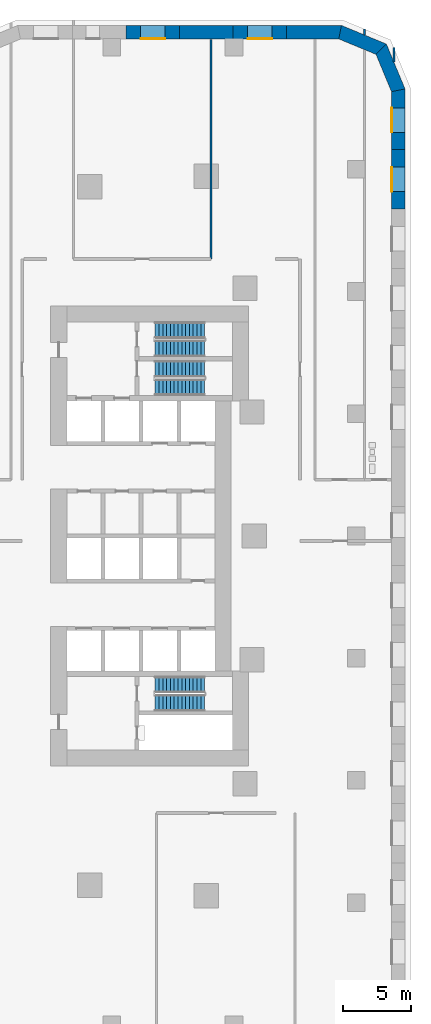
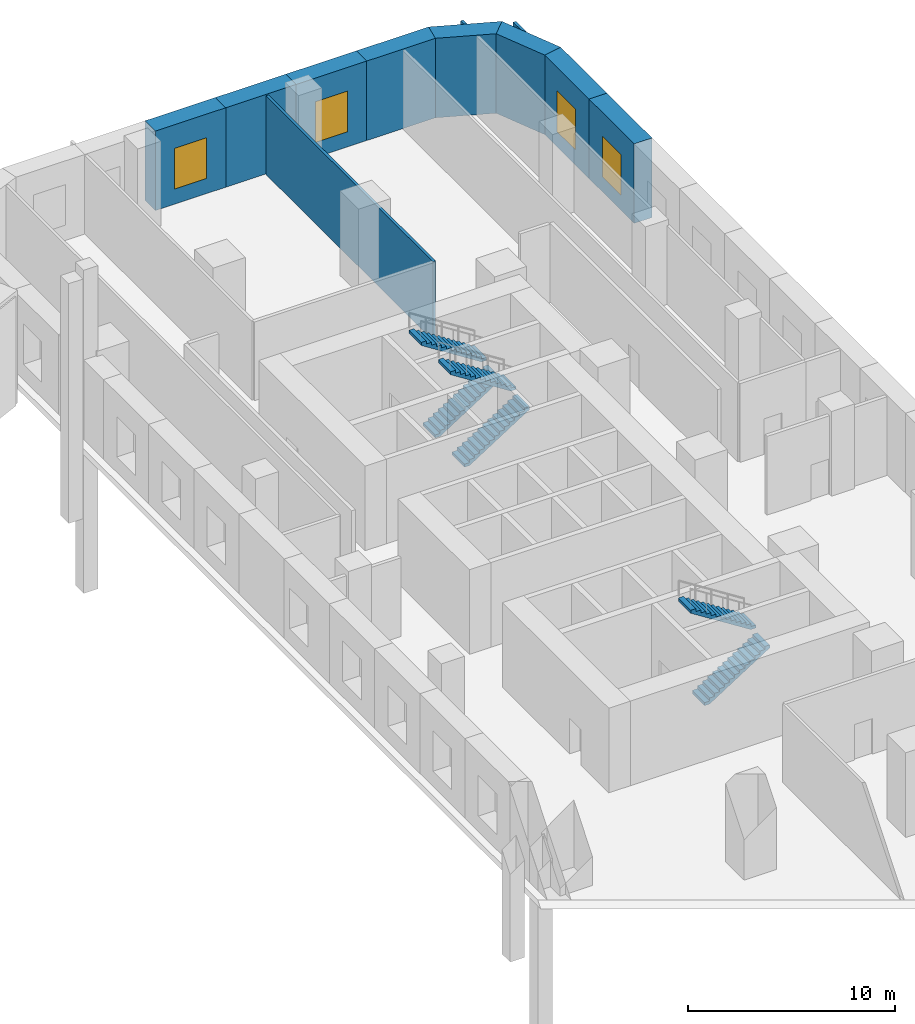
# One storey, part 6 of 11: 11 walls, 6 stair flights, 4 windows, 4 openings, 3 elements without a shape of their own.
"""IFC4 building model written with IfcOpenShell, lengths in metres."""

from ifc_helpers import new_model, si_unit, direction, frame, frame_2d, origin, place, context, subcontext, project, spatial, polyline, rectangle, outline, extrude, material, layer, layer_set, type_object, element, fill, aggregate, save


model = new_model("IFC4")

# Units and contexts
model_context = context("Model", 3, precision=1e-05, world=origin(), true_north=direction((0.0, 1.0)))
body_context = subcontext(model_context, "Body", "Model", "MODEL_VIEW")
ifc_project = project(units=[si_unit("LENGTHUNIT", "METRE"), si_unit("AREAUNIT", "SQUARE_METRE"), si_unit("VOLUMEUNIT", "CUBIC_METRE"), si_unit("PLANEANGLEUNIT", "RADIAN"), si_unit("MASSUNIT", "GRAM", prefix="KILO")], contexts=[model_context])

# Site, building, storey
site_placement = place(None, origin())
site = spatial("IfcSite", under=ifc_project, at=site_placement, CompositionType="ELEMENT")
building_placement = place(site_placement, origin())
building = spatial("IfcBuilding", under=site, at=building_placement, Name="Ostrand Prow Hotel Tower", CompositionType="ELEMENT")
storey_placement = place(building_placement, frame((0.0, 0.0, 19.0)))
storey = spatial("IfcBuildingStorey", under=building, at=storey_placement, Name="L03", CompositionType="ELEMENT", Elevation=19.0)

# Walls
ifc_material_1 = material(Name="Plasterboard partition")
ifc_layer_1 = layer(ifc_material_1, 0.14990234375)
ifc_layer_set_1 = layer_set([ifc_layer_1], Name="Plasterboard partition")
wall_type_1 = type_object("IfcWallType", Name="Partition 150 room partition", PredefinedType="PARTITIONING", material=ifc_layer_set_1)
wall_1_placement = place(storey_placement, frame((61.29736328125, 20.39990234375, 0.0), z_axis=(0.0, 0.0, 1.0), x_axis=(0.0, 1.0, 0.0)))
element("IfcWall", 1, at=wall_1_placement, inside=storey, type_object=wall_type_1, Name="ROOM PARTITION", PredefinedType="PARTITIONING", context=body_context, shape_type="SweptSolid", body=[
    extrude(rectangle(XDim=16.170166015625, YDim=0.14990234375, at=frame_2d((8.0849609375, 0.0))), origin(), (0.0, 0.0, 1.0), 4.64990234375),
])
wall_2_placement = place(storey_placement, frame((72.630615234375, 36.8916015625, 0.0), z_axis=(0.0, 0.0, 1.0), x_axis=(0.0, 1.0, 0.0)))
element("IfcWall", 2, at=wall_2_placement, inside=storey, type_object=wall_type_1, Name="ROOM PARTITION", PredefinedType="PARTITIONING", context=body_context, shape_type="SweptSolid", body=[
    extrude(rectangle(XDim=0.43310546875, YDim=0.14990234375, at=frame_2d((0.216552734375, 0.0))), origin(), (0.0, 0.0, 1.0), 4.64990234375),
])
wall_3_placement = place(storey_placement, frame((74.77490234375, 34.91259765625, 0.0), z_axis=(0.0, 0.0, 1.0), x_axis=(0.0, 1.0, 0.0)))
element("IfcWall", 3, at=wall_3_placement, inside=storey, type_object=wall_type_1, Name="ROOM PARTITION", PredefinedType="PARTITIONING", context=body_context, shape_type="SweptSolid", body=[
    extrude(rectangle(XDim=1.04541015625, YDim=0.14990234375, at=frame_2d((0.522705078125, 0.0))), origin(), (0.0, 0.0, 1.0), 4.64990234375),
])

# Wall, opening, window
ifc_material_2 = material(Name="Precast concrete C40/50", Category="concrete")
ifc_layer_2 = layer(ifc_material_2, 1.0)
ifc_layer_set_2 = layer_set([ifc_layer_2], Name="Precast concrete C40/50")
wall_type_2 = type_object("IfcWallType", Name="Portal pier wall 1000 mm", PredefinedType="NOTDEFINED", material=ifc_layer_set_2)
wall_4_placement = place(storey_placement, frame((75.10009765625, 24.068603515625, 0.0), z_axis=(0.0, 0.0, 1.0), x_axis=(0.0, 1.0, 0.0)))
wall_4 = element("IfcWall", 4, at=wall_4_placement, inside=storey, type_object=wall_type_2, Name="Portal pier wall L03-PP121", PredefinedType="NOTDEFINED", context=body_context, shape_type="SweptSolid", body=[
    extrude(outline(polyline([(0.0, -0.5), (4.376220703125, -0.5), (4.376220703125, 0.5), (0.0, 0.5), (0.0, -0.5)])), origin(), (0.0, 0.0, 1.0), 4.699951171875),
])
opening_1_placement = place(wall_4_placement, frame((1.2880859375, 0.0, 0.89990234375)))
opening_1 = element("IfcOpeningElement", 5, at=opening_1_placement, cuts=wall_4, Name="Opening WP2", PredefinedType="OPENING", context=body_context, shape_type="SweptSolid", body=[
    extrude(rectangle(XDim=1.800048828125, YDim=2.39990234375, at=frame_2d((0.89990234375, 1.199951171875))), frame((0.0, 0.510009765625, 0.0), z_axis=(0.0, -1.0, 0.0), x_axis=(1.0, 0.0, 0.0)), (0.0, 0.0, 1.0), 1.02001953125),
])
ifc_material_3 = material(Name="Insulated glass in bronze anodised frame", Category="glass")
window_type = type_object("IfcWindowType", Name="Portal window 1800x2400", PartitioningType="SINGLE_PANEL", PredefinedType="WINDOW", material=ifc_material_3)
window_1_placement = place(opening_1_placement, origin())
window_1 = element("IfcWindow", 6, at=window_1_placement, inside=storey, type_object=window_type, Name="Portal window L03-PP121", OverallHeight=2.39990234375, OverallWidth=1.800048828125, PartitioningType="SINGLE_PANEL", PredefinedType="WINDOW", context=body_context, shape_type="SweptSolid", body=[
    extrude(rectangle(XDim=1.800048828125, YDim=2.39990234375, at=frame_2d((0.89990234375, 1.199951171875))), frame((0.0, 0.5, 0.0), z_axis=(0.0, -1.0, 0.0), x_axis=(1.0, 0.0, 0.0)), (0.0, 0.0, 1.0), 0.06005859375),
])
fill(opening_1, window_1)

wall_5_placement = place(storey_placement, frame((75.10009765625, 28.44482421875, 0.0), z_axis=(0.0, 0.0, 1.0), x_axis=(0.0, 1.0, 0.0)))
wall_5 = element("IfcWall", 7, at=wall_5_placement, inside=storey, type_object=wall_type_2, Name="Portal pier wall L03-PP122", PredefinedType="NOTDEFINED", context=body_context, shape_type="SweptSolid", body=[
    extrude(outline(polyline([(0.0, -0.5), (4.475830078125, -0.5), (4.276611328125, 0.5), (0.0, 0.5), (0.0, -0.5)])), origin(), (0.0, 0.0, 1.0), 4.699951171875),
])
opening_2_placement = place(wall_5_placement, frame((1.2880859375, 0.0, 0.89990234375)))
opening_2 = element("IfcOpeningElement", 8, at=opening_2_placement, cuts=wall_5, Name="Opening WP2", PredefinedType="OPENING", context=body_context, shape_type="SweptSolid", body=[
    extrude(rectangle(XDim=1.800048828125, YDim=2.39990234375, at=frame_2d((0.89990234375, 1.199951171875))), frame((0.0, 0.510009765625, 0.0), z_axis=(0.0, -1.0, 0.0), x_axis=(1.0, 0.0, 0.0)), (0.0, 0.0, 1.0), 1.02001953125),
])
window_2_placement = place(opening_2_placement, origin())
window_2 = element("IfcWindow", 9, at=window_2_placement, inside=storey, type_object=window_type, Name="Portal window L03-PP122", OverallHeight=2.39990234375, OverallWidth=1.800048828125, PartitioningType="SINGLE_PANEL", PredefinedType="WINDOW", context=body_context, shape_type="SweptSolid", body=[
    extrude(rectangle(XDim=1.800048828125, YDim=2.39990234375, at=frame_2d((0.89990234375, 1.199951171875))), frame((0.0, 0.5, 0.0), z_axis=(0.0, -1.0, 0.0), x_axis=(1.0, 0.0, 0.0)), (0.0, 0.0, 1.0), 0.06005859375),
])
fill(opening_2, window_2)

# Walls
wall_6_placement = place(storey_placement, frame((75.10009765625, 32.821044921875, 0.0), z_axis=(0.0, 0.0, 1.0), x_axis=(-0.382724875529, 0.923862365102, 0.0)))
element("IfcWall", 10, at=wall_6_placement, inside=storey, type_object=wall_type_2, Name="Portal pier wall L03-PP123", PredefinedType="NOTDEFINED", context=body_context, shape_type="SweptSolid", body=[
    extrude(outline(polyline([(-0.099609375, -0.5), (3.48193359375, -0.5), (3.06787109375, 0.5), (0.099609375, 0.5), (-0.099609375, -0.5)])), origin(), (0.0, 0.0, 1.0), 4.699951171875),
])
wall_7_placement = place(storey_placement, frame((73.8466796875, 35.8466796875, 0.0), z_axis=(0.0, 0.0, 1.0), x_axis=(-0.923862365102, 0.382724875529, 0.0)))
element("IfcWall", 11, at=wall_7_placement, inside=storey, type_object=wall_type_2, Name="Portal pier wall L03-PP124", PredefinedType="NOTDEFINED", context=body_context, shape_type="SweptSolid", body=[
    extrude(outline(polyline([(-0.20703125, -0.5), (3.37451171875, -0.5), (3.17529296875, 0.5), (0.20703125, 0.5), (-0.20703125, -0.5)])), origin(), (0.0, 0.0, 1.0), 4.699951171875),
])
wall_8_placement = place(storey_placement, frame((70.821044921875, 37.10009765625, 0.0), z_axis=(0.0, 0.0, 1.0), x_axis=(-1.0, 0.0, 0.0)))
element("IfcWall", 12, at=wall_8_placement, inside=storey, type_object=wall_type_2, Name="Portal pier wall L03-PP125", PredefinedType="NOTDEFINED", context=body_context, shape_type="SweptSolid", body=[
    extrude(outline(polyline([(-0.099609375, -0.5), (3.9404296875, -0.5), (3.9404296875, 0.5), (0.099609375, 0.5), (-0.099609375, -0.5)])), origin(), (0.0, 0.0, 1.0), 4.699951171875),
])

# Wall, opening, window
wall_9_placement = place(storey_placement, frame((66.880615234375, 37.10009765625, 0.0), z_axis=(0.0, 0.0, 1.0), x_axis=(-1.0, 0.0, 0.0)))
wall_9 = element("IfcWall", 13, at=wall_9_placement, inside=storey, type_object=wall_type_2, Name="Portal pier wall L03-PP126", PredefinedType="NOTDEFINED", context=body_context, shape_type="SweptSolid", body=[
    extrude(outline(polyline([(0.0, -0.5), (3.9404296875, -0.5), (3.9404296875, 0.5), (0.0, 0.5), (0.0, -0.5)])), origin(), (0.0, 0.0, 1.0), 4.699951171875),
])
opening_3_placement = place(wall_9_placement, frame((1.0703125, 0.0, 0.89990234375)))
opening_3 = element("IfcOpeningElement", 14, at=opening_3_placement, cuts=wall_9, Name="Opening WP2", PredefinedType="OPENING", context=body_context, shape_type="SweptSolid", body=[
    extrude(rectangle(XDim=1.800048828125, YDim=2.39990234375, at=frame_2d((0.89990234375, 1.199951171875))), frame((0.0, 0.510009765625, 0.0), z_axis=(0.0, -1.0, 0.0), x_axis=(1.0, 0.0, 0.0)), (0.0, 0.0, 1.0), 1.02001953125),
])
window_3_placement = place(opening_3_placement, origin())
window_3 = element("IfcWindow", 15, at=window_3_placement, inside=storey, type_object=window_type, Name="Portal window L03-PP126", OverallHeight=2.39990234375, OverallWidth=1.800048828125, PartitioningType="SINGLE_PANEL", PredefinedType="WINDOW", context=body_context, shape_type="SweptSolid", body=[
    extrude(rectangle(XDim=1.800048828125, YDim=2.39990234375, at=frame_2d((0.89990234375, 1.199951171875))), frame((0.0, 0.5, 0.0), z_axis=(0.0, -1.0, 0.0), x_axis=(1.0, 0.0, 0.0)), (0.0, 0.0, 1.0), 0.06005859375),
])
fill(opening_3, window_3)

# Wall
wall_10_placement = place(storey_placement, frame((62.940185546875, 37.10009765625, 0.0), z_axis=(0.0, 0.0, 1.0), x_axis=(-1.0, 0.0, 0.0)))
element("IfcWall", 16, at=wall_10_placement, inside=storey, type_object=wall_type_2, Name="Portal pier wall L03-PP127", PredefinedType="NOTDEFINED", context=body_context, shape_type="SweptSolid", body=[
    extrude(outline(polyline([(0.0, -0.5), (3.940185546875, -0.5), (3.940185546875, 0.5), (0.0, 0.5), (0.0, -0.5)])), origin(), (0.0, 0.0, 1.0), 4.699951171875),
])

# Wall, opening, window
wall_11_placement = place(storey_placement, frame((59.0, 37.10009765625, 0.0), z_axis=(0.0, 0.0, 1.0), x_axis=(-1.0, 0.0, 0.0)))
wall_11 = element("IfcWall", 17, at=wall_11_placement, inside=storey, type_object=wall_type_2, Name="Portal pier wall L03-PP128", PredefinedType="NOTDEFINED", context=body_context, shape_type="SweptSolid", body=[
    extrude(outline(polyline([(0.0, -0.5), (3.940185546875, -0.5), (3.940185546875, 0.5), (0.0, 0.5), (0.0, -0.5)])), origin(), (0.0, 0.0, 1.0), 4.699951171875),
])
opening_4_placement = place(wall_11_placement, frame((1.0703125, 0.0, 0.89990234375)))
opening_4 = element("IfcOpeningElement", 18, at=opening_4_placement, cuts=wall_11, Name="Opening WP2", PredefinedType="OPENING", context=body_context, shape_type="SweptSolid", body=[
    extrude(rectangle(XDim=1.800048828125, YDim=2.39990234375, at=frame_2d((0.89990234375, 1.199951171875))), frame((0.0, 0.510009765625, 0.0), z_axis=(0.0, -1.0, 0.0), x_axis=(1.0, 0.0, 0.0)), (0.0, 0.0, 1.0), 1.02001953125),
])
window_4_placement = place(opening_4_placement, origin())
window_4 = element("IfcWindow", 19, at=window_4_placement, inside=storey, type_object=window_type, Name="Portal window L03-PP128", OverallHeight=2.39990234375, OverallWidth=1.800048828125, PartitioningType="SINGLE_PANEL", PredefinedType="WINDOW", context=body_context, shape_type="SweptSolid", body=[
    extrude(rectangle(XDim=1.800048828125, YDim=2.39990234375, at=frame_2d((0.89990234375, 1.199951171875))), frame((0.0, 0.5, 0.0), z_axis=(0.0, -1.0, 0.0), x_axis=(1.0, 0.0, 0.0)), (0.0, 0.0, 1.0), 0.06005859375),
])
fill(opening_4, window_4)

# Stair, stair flights
ifc_material_4 = material(Name="Concrete C40/50", Category="concrete")
stair_type = type_object("IfcStairType", Name="Exit stair 1200 middle zone", PredefinedType="HALF_TURN_STAIR", material=ifc_material_4)
stair_1_placement = place(storey_placement, origin())
stair_1 = element("IfcStair", 20, at=stair_1_placement, inside=storey, type_object=stair_type, Name="L03 ST1B", PredefinedType="HALF_TURN_STAIR")
ifc_material_5 = material(Name="Concrete C40/50", Category="concrete")
stair_flight_type = type_object("IfcStairFlightType", Name="Stair flight 1200 concrete", PredefinedType="STRAIGHT", material=ifc_material_5)
stair_flight_1_placement = place(storey_placement, frame((57.199951171875, 10.949951171875, 0.0), z_axis=(0.0, 0.0, 1.0), x_axis=(1.0, 0.0, 0.0)))
stair_flight_1 = element("IfcStairFlight", 21, at=stair_flight_1_placement, type_object=stair_flight_type, Name="ST1B flight 1", NumberOfRisers=14, NumberOfTreads=13, PredefinedType="STRAIGHT", RiserHeight=0.178571429, TreadLength=0.28, context=body_context, shape_type="SweptSolid", body=[
    extrude(outline(polyline([(0.0, 0.0), (0.0, 0.178466796875), (0.280029296875, 0.178466796875), (0.280029296875, 0.357177734375), (0.56005859375, 0.357177734375), (0.56005859375, 0.53564453125), (0.840087890625, 0.53564453125), (0.840087890625, 0.71435546875), (1.1201171875, 0.71435546875), (1.1201171875, 0.892822265625), (1.39990234375, 0.892822265625), (1.39990234375, 1.071533203125), (1.679931640625, 1.071533203125), (1.679931640625, 1.25), (1.9599609375, 1.25), (1.9599609375, 1.428466796875), (2.239990234375, 1.428466796875), (2.239990234375, 1.607177734375), (2.52001953125, 1.607177734375), (2.52001953125, 1.78564453125), (2.800048828125, 1.78564453125), (2.800048828125, 1.96435546875), (3.080078125, 1.96435546875), (3.080078125, 2.142822265625), (3.360107421875, 2.142822265625), (3.360107421875, 2.321533203125), (3.639892578125, 2.321533203125), (3.639892578125, 2.5), (3.639892578125, 2.1435546875), (0.27880859375, 0.0), (0.0, 0.0)])), frame((0.0, 0.60009765625, 0.0), z_axis=(0.0, -1.0, 0.0), x_axis=(1.0, 0.0, 0.0)), (0.0, 0.0, 1.0), 1.199951171875),
])
stair_flight_2_placement = place(storey_placement, frame((60.840087890625, 12.300048828125, 2.5), z_axis=(0.0, 0.0, 1.0), x_axis=(-1.0, 0.0, 0.0)))
stair_flight_2 = element("IfcStairFlight", 22, at=stair_flight_2_placement, type_object=stair_flight_type, Name="ST1B flight 2", NumberOfRisers=14, NumberOfTreads=13, PredefinedType="STRAIGHT", RiserHeight=0.178571429, TreadLength=0.28, context=body_context, shape_type="SweptSolid", body=[
    extrude(outline(polyline([(0.0, 0.0), (0.0, 0.178466796875), (0.280029296875, 0.178466796875), (0.280029296875, 0.357177734375), (0.56005859375, 0.357177734375), (0.56005859375, 0.53564453125), (0.840087890625, 0.53564453125), (0.840087890625, 0.71435546875), (1.1201171875, 0.71435546875), (1.1201171875, 0.892822265625), (1.39990234375, 0.892822265625), (1.39990234375, 1.071533203125), (1.679931640625, 1.071533203125), (1.679931640625, 1.25), (1.9599609375, 1.25), (1.9599609375, 1.428466796875), (2.239990234375, 1.428466796875), (2.239990234375, 1.607177734375), (2.52001953125, 1.607177734375), (2.52001953125, 1.78564453125), (2.800048828125, 1.78564453125), (2.800048828125, 1.96435546875), (3.080078125, 1.96435546875), (3.080078125, 2.142822265625), (3.360107421875, 2.142822265625), (3.360107421875, 2.321533203125), (3.639892578125, 2.321533203125), (3.639892578125, 2.5), (3.639892578125, 2.1435546875), (0.27880859375, 0.0), (0.0, 0.0)])), frame((0.0, 0.60009765625, 0.0), z_axis=(0.0, -1.0, 0.0), x_axis=(1.0, 0.0, 0.0)), (0.0, 0.0, 1.0), 1.199951171875),
])
aggregate(stair_1, [stair_flight_1, stair_flight_2])

stair_2_placement = place(storey_placement, origin())
stair_2 = element("IfcStair", 23, at=stair_2_placement, inside=storey, type_object=stair_type, Name="L03 ST3B", PredefinedType="HALF_TURN_STAIR")
stair_flight_3_placement = place(storey_placement, frame((57.199951171875, 13.800048828125, 0.0), z_axis=(0.0, 0.0, 1.0), x_axis=(1.0, 0.0, 0.0)))
stair_flight_3 = element("IfcStairFlight", 24, at=stair_flight_3_placement, type_object=stair_flight_type, Name="ST3B flight 1", NumberOfRisers=14, NumberOfTreads=13, PredefinedType="STRAIGHT", RiserHeight=0.178571429, TreadLength=0.28, context=body_context, shape_type="SweptSolid", body=[
    extrude(outline(polyline([(0.0, 0.0), (0.0, 0.178466796875), (0.280029296875, 0.178466796875), (0.280029296875, 0.357177734375), (0.56005859375, 0.357177734375), (0.56005859375, 0.53564453125), (0.840087890625, 0.53564453125), (0.840087890625, 0.71435546875), (1.1201171875, 0.71435546875), (1.1201171875, 0.892822265625), (1.39990234375, 0.892822265625), (1.39990234375, 1.071533203125), (1.679931640625, 1.071533203125), (1.679931640625, 1.25), (1.9599609375, 1.25), (1.9599609375, 1.428466796875), (2.239990234375, 1.428466796875), (2.239990234375, 1.607177734375), (2.52001953125, 1.607177734375), (2.52001953125, 1.78564453125), (2.800048828125, 1.78564453125), (2.800048828125, 1.96435546875), (3.080078125, 1.96435546875), (3.080078125, 2.142822265625), (3.360107421875, 2.142822265625), (3.360107421875, 2.321533203125), (3.639892578125, 2.321533203125), (3.639892578125, 2.5), (3.639892578125, 2.1435546875), (0.27880859375, 0.0), (0.0, 0.0)])), frame((0.0, 0.60009765625, 0.0), z_axis=(0.0, -1.0, 0.0), x_axis=(1.0, 0.0, 0.0)), (0.0, 0.0, 1.0), 1.199951171875),
])
stair_flight_4_placement = place(storey_placement, frame((60.840087890625, 15.14990234375, 2.5), z_axis=(0.0, 0.0, 1.0), x_axis=(-1.0, 0.0, 0.0)))
stair_flight_4 = element("IfcStairFlight", 25, at=stair_flight_4_placement, type_object=stair_flight_type, Name="ST3B flight 2", NumberOfRisers=14, NumberOfTreads=13, PredefinedType="STRAIGHT", RiserHeight=0.178571429, TreadLength=0.28, context=body_context, shape_type="SweptSolid", body=[
    extrude(outline(polyline([(0.0, 0.0), (0.0, 0.178466796875), (0.280029296875, 0.178466796875), (0.280029296875, 0.357177734375), (0.56005859375, 0.357177734375), (0.56005859375, 0.53564453125), (0.840087890625, 0.53564453125), (0.840087890625, 0.71435546875), (1.1201171875, 0.71435546875), (1.1201171875, 0.892822265625), (1.39990234375, 0.892822265625), (1.39990234375, 1.071533203125), (1.679931640625, 1.071533203125), (1.679931640625, 1.25), (1.9599609375, 1.25), (1.9599609375, 1.428466796875), (2.239990234375, 1.428466796875), (2.239990234375, 1.607177734375), (2.52001953125, 1.607177734375), (2.52001953125, 1.78564453125), (2.800048828125, 1.78564453125), (2.800048828125, 1.96435546875), (3.080078125, 1.96435546875), (3.080078125, 2.142822265625), (3.360107421875, 2.142822265625), (3.360107421875, 2.321533203125), (3.639892578125, 2.321533203125), (3.639892578125, 2.5), (3.639892578125, 2.1435546875), (0.27880859375, 0.0), (0.0, 0.0)])), frame((0.0, 0.60009765625, 0.0), z_axis=(0.0, -1.0, 0.0), x_axis=(1.0, 0.0, 0.0)), (0.0, 0.0, 1.0), 1.199951171875),
])
aggregate(stair_2, [stair_flight_3, stair_flight_4])

stair_3_placement = place(storey_placement, origin())
stair_3 = element("IfcStair", 26, at=stair_3_placement, inside=storey, type_object=stair_type, Name="L03 ST2B", PredefinedType="HALF_TURN_STAIR")
stair_flight_5_placement = place(storey_placement, frame((57.199951171875, -12.300048828125, 0.0), z_axis=(0.0, 0.0, 1.0), x_axis=(1.0, 0.0, 0.0)))
stair_flight_5 = element("IfcStairFlight", 27, at=stair_flight_5_placement, type_object=stair_flight_type, Name="ST2B flight 1", NumberOfRisers=14, NumberOfTreads=13, PredefinedType="STRAIGHT", RiserHeight=0.178571429, TreadLength=0.28, context=body_context, shape_type="SweptSolid", body=[
    extrude(outline(polyline([(0.0, 0.0), (0.0, 0.178466796875), (0.280029296875, 0.178466796875), (0.280029296875, 0.357177734375), (0.56005859375, 0.357177734375), (0.56005859375, 0.53564453125), (0.840087890625, 0.53564453125), (0.840087890625, 0.71435546875), (1.1201171875, 0.71435546875), (1.1201171875, 0.892822265625), (1.39990234375, 0.892822265625), (1.39990234375, 1.071533203125), (1.679931640625, 1.071533203125), (1.679931640625, 1.25), (1.9599609375, 1.25), (1.9599609375, 1.428466796875), (2.239990234375, 1.428466796875), (2.239990234375, 1.607177734375), (2.52001953125, 1.607177734375), (2.52001953125, 1.78564453125), (2.800048828125, 1.78564453125), (2.800048828125, 1.96435546875), (3.080078125, 1.96435546875), (3.080078125, 2.142822265625), (3.360107421875, 2.142822265625), (3.360107421875, 2.321533203125), (3.639892578125, 2.321533203125), (3.639892578125, 2.5), (3.639892578125, 2.1435546875), (0.27880859375, 0.0), (0.0, 0.0)])), frame((0.0, 0.60009765625, 0.0), z_axis=(0.0, -1.0, 0.0), x_axis=(1.0, 0.0, 0.0)), (0.0, 0.0, 1.0), 1.199951171875),
])
stair_flight_6_placement = place(storey_placement, frame((60.840087890625, -10.949951171875, 2.5), z_axis=(0.0, 0.0, 1.0), x_axis=(-1.0, 0.0, 0.0)))
stair_flight_6 = element("IfcStairFlight", 28, at=stair_flight_6_placement, type_object=stair_flight_type, Name="ST2B flight 2", NumberOfRisers=14, NumberOfTreads=13, PredefinedType="STRAIGHT", RiserHeight=0.178571429, TreadLength=0.28, context=body_context, shape_type="SweptSolid", body=[
    extrude(outline(polyline([(0.0, 0.0), (0.0, 0.178466796875), (0.280029296875, 0.178466796875), (0.280029296875, 0.357177734375), (0.56005859375, 0.357177734375), (0.56005859375, 0.53564453125), (0.840087890625, 0.53564453125), (0.840087890625, 0.71435546875), (1.1201171875, 0.71435546875), (1.1201171875, 0.892822265625), (1.39990234375, 0.892822265625), (1.39990234375, 1.071533203125), (1.679931640625, 1.071533203125), (1.679931640625, 1.25), (1.9599609375, 1.25), (1.9599609375, 1.428466796875), (2.239990234375, 1.428466796875), (2.239990234375, 1.607177734375), (2.52001953125, 1.607177734375), (2.52001953125, 1.78564453125), (2.800048828125, 1.78564453125), (2.800048828125, 1.96435546875), (3.080078125, 1.96435546875), (3.080078125, 2.142822265625), (3.360107421875, 2.142822265625), (3.360107421875, 2.321533203125), (3.639892578125, 2.321533203125), (3.639892578125, 2.5), (3.639892578125, 2.1435546875), (0.27880859375, 0.0), (0.0, 0.0)])), frame((0.0, 0.60009765625, 0.0), z_axis=(0.0, -1.0, 0.0), x_axis=(1.0, 0.0, 0.0)), (0.0, 0.0, 1.0), 1.199951171875),
])
aggregate(stair_3, [stair_flight_5, stair_flight_6])

save(model, "model.ifc")
